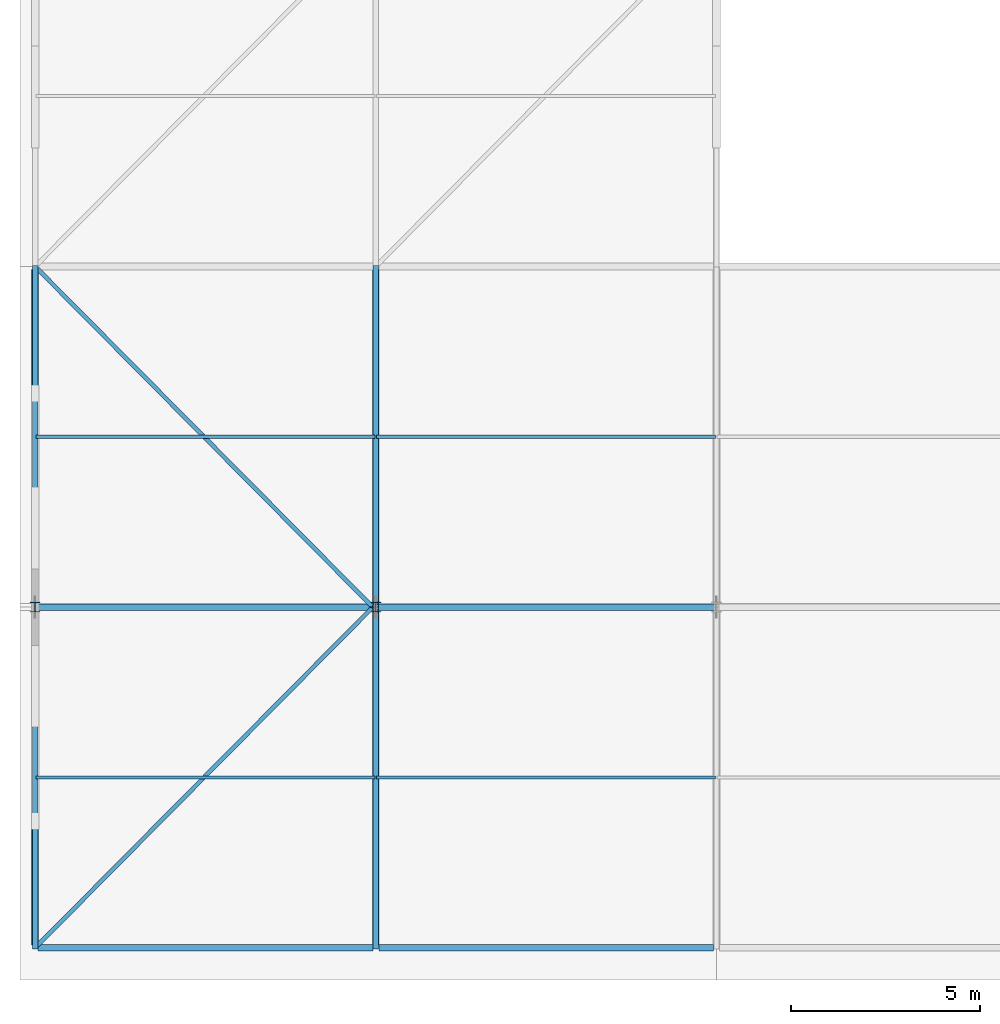
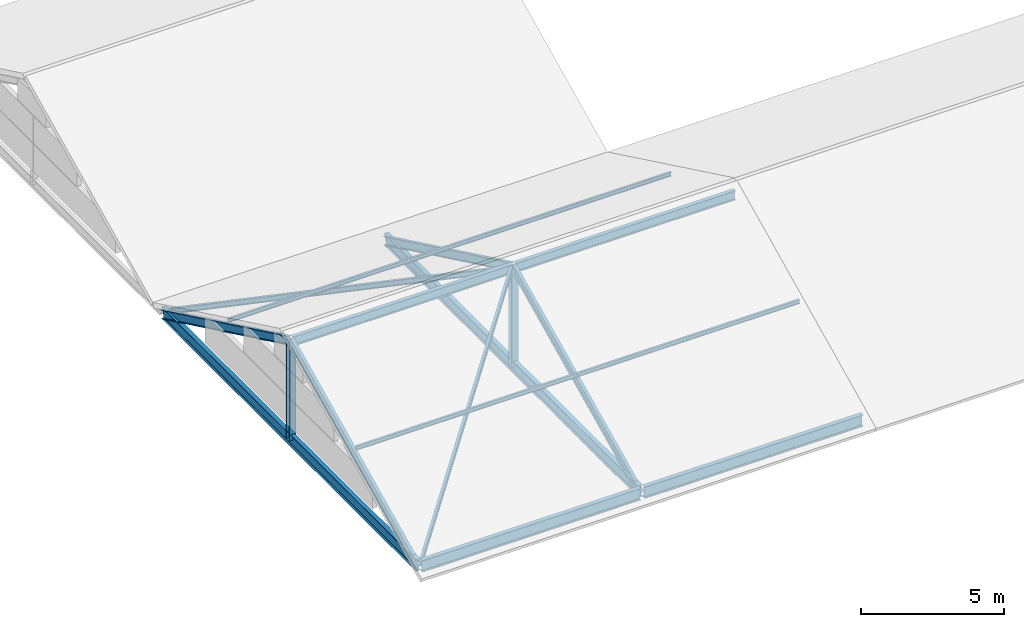
# One storey, part 1 of 9: 14 members, 4 beams.
"""IFC4 building model written with IfcOpenShell, lengths in metres."""

from ifc_helpers import new_model, si_unit, direction, frame, origin, origin_2d, place, context, subcontext, project, spatial, i_section, extrude, material, material_profile, profile_set, type_object, element, save


model = new_model("IFC4")

# Units and contexts
model_context = context("Model", 3, precision=1e-05, world=origin(), true_north=direction((0.0, 1.0)))
body_context = subcontext(model_context, "Body", "Model", "MODEL_VIEW")
ifc_project = project(units=[si_unit("LENGTHUNIT", "METRE"), si_unit("AREAUNIT", "SQUARE_METRE"), si_unit("VOLUMEUNIT", "CUBIC_METRE"), si_unit("PLANEANGLEUNIT", "RADIAN"), si_unit("MASSUNIT", "GRAM", prefix="KILO")], contexts=[model_context])

# Site, building, storey
site_placement = place(None, origin())
site = spatial("IfcSite", under=ifc_project, at=site_placement, CompositionType="ELEMENT")
building_placement = place(site_placement, origin())
building = spatial("IfcBuilding", under=site, at=building_placement, Name="Tharagai Park Tramway Depot", CompositionType="ELEMENT")
storey_placement = place(building_placement, frame((0.0, 0.0, 18.0)))
storey = spatial("IfcBuildingStorey", under=building, at=storey_placement, Name="RF", CompositionType="ELEMENT", Elevation=18.0)

# Beams
ifc_material_1 = material(Name="Steel E350", Category="steel")
ifc_material_profile_1 = material_profile(ifc_material_1, i_section(OverallWidth=0.179931640625, OverallDepth=0.5, WebThickness=0.01025390625, FlangeThickness=0.01708984375, FilletRadius=0.01708984375, at=origin_2d()), Name="ISMB 500")
ifc_profile_set_1 = profile_set([ifc_material_profile_1], Name="Steel E350")
beam_type = type_object("IfcBeamType", Name="BM-18", PredefinedType="BEAM", material=ifc_profile_set_1)
for number, where, z_axis, x_axis, name in (
    (1, (0.080078125, 0.0, -0.5), (1.0, 0.0, 0.0), (0.0, 1.0, 0.0), "V4S Roof Eave Girder BM-18"),
    (2, (9.080078125, 0.0, -0.5), (1.0, 0.0, 0.0), (0.0, 1.0, 0.0), "V4S Roof Eave Girder BM-18"),
):
    element("IfcBeam", number, at=place(storey_placement, frame(where, z_axis=z_axis, x_axis=x_axis)), inside=storey, type_object=beam_type, Name=name, PredefinedType="BEAM", context=body_context, shape_type="SweptSolid", body=[
        extrude(i_section(OverallWidth=0.179931640625, OverallDepth=0.5, WebThickness=0.01025390625, FlangeThickness=0.01708984375, FilletRadius=0.01708984375, at=origin_2d()), origin(), (0.0, 0.0, 1.0), 8.83984375),
    ])
for number, where, z_axis, x_axis, name in (
    (3, (0.0, 0.080078125, -0.5), (0.0, 1.0, 0.0), (-1.0, 0.0, 0.0), "V4S Gable Tie Girder BM-18"),
    (4, (9.0, 0.080078125, -0.5), (0.0, 1.0, 0.0), (-1.0, 0.0, 0.0), "V4S Gable Tie Girder BM-18"),
):
    element("IfcBeam", number, at=place(storey_placement, frame(where, z_axis=z_axis, x_axis=x_axis)), inside=storey, type_object=beam_type, Name=name, PredefinedType="BEAM", context=body_context, shape_type="SweptSolid", body=[
        extrude(i_section(OverallWidth=0.179931640625, OverallDepth=0.5, WebThickness=0.01025390625, FlangeThickness=0.01708984375, FilletRadius=0.01708984375, at=origin_2d()), origin(), (0.0, 0.0, 1.0), 17.83984375),
    ])

# Members
ifc_material_profile_2 = material_profile(ifc_material_1, i_section(OverallWidth=0.25, OverallDepth=0.25, WebThickness=0.0087890625, FlangeThickness=0.009765625, FilletRadius=0.010009765625, at=origin_2d()), Name="ISHB 250")
ifc_profile_set_2 = profile_set([ifc_material_profile_2], Name="Steel E350")
member_type_1 = type_object("IfcMemberType", Name="BR-01", PredefinedType="BRACE", material=ifc_profile_set_2)
for number, where, z_axis, x_axis, name in (
    (5, (0.0, 9.0, -0.5), (0.0, 0.0, 1.0), (1.0, 0.0, 0.0), "V4S Gable King Strut BR-01"),
    (6, (9.0, 9.0, -0.5), (0.0, 0.0, 1.0), (1.0, 0.0, 0.0), "V4S Gable King Strut BR-01"),
):
    element("IfcMember", number, at=place(storey_placement, frame(where, z_axis=z_axis, x_axis=x_axis)), inside=storey, type_object=member_type_1, Name=name, PredefinedType="BRACE", context=body_context, shape_type="SweptSolid", body=[
        extrude(i_section(OverallWidth=0.25, OverallDepth=0.25, WebThickness=0.0087890625, FlangeThickness=0.009765625, FilletRadius=0.010009765625, at=origin_2d()), origin(), (0.0, 0.0, 1.0), 4.190185546875),
    ])
ifc_material_profile_3 = material_profile(ifc_material_1, i_section(OverallWidth=0.110107421875, OverallDepth=0.22509765625, WebThickness=0.006591796875, FlangeThickness=0.01171875, FilletRadius=0.011962890625, at=origin_2d()), Name="ISMB 225")
ifc_profile_set_3 = profile_set([ifc_material_profile_3], Name="Steel E350")
member_type_2 = type_object("IfcMemberType", Name="BR-04", PredefinedType="BRACE", material=ifc_profile_set_3)
for number, where, z_axis, x_axis, name in (
    (7, (0.080078125, 0.080078125, -0.5), (0.668123641953, 0.674176021388, 0.314797540094), (-0.710287879152, 0.703911307432, 0.0), "V4S Roof Wind Brace BR-04"),
    (8, (0.080078125, 17.919921875, -0.5), (0.668123641953, -0.674176021388, 0.314797540094), (0.710287879152, 0.703911307432, 0.0), "V4S Roof Wind Brace BR-04"),
):
    element("IfcMember", number, at=place(storey_placement, frame(where, z_axis=z_axis, x_axis=x_axis)), inside=storey, type_object=member_type_2, Name=name, PredefinedType="BRACE", context=body_context, shape_type="SweptSolid", body=[
        extrude(i_section(OverallWidth=0.110107421875, OverallDepth=0.22509765625, WebThickness=0.006591796875, FlangeThickness=0.01171875, FilletRadius=0.011962890625, at=origin_2d()), origin(), (0.0, 0.0, 1.0), 13.23095703125),
    ])
ifc_material_2 = material(Name="Steel E250", Category="steel")
ifc_material_profile_4 = material_profile(ifc_material_2, i_section(OverallWidth=0.090087890625, OverallDepth=0.175048828125, WebThickness=0.005615234375, FlangeThickness=0.009033203125, FilletRadius=0.010009765625, at=origin_2d()), Name="ISMB 175")
ifc_profile_set_4 = profile_set([ifc_material_profile_4], Name="Steel E250")
member_type_3 = type_object("IfcMemberType", Name="PR-01", PredefinedType="PURLIN", material=ifc_profile_set_4)
for number, where, z_axis, x_axis, name in (
    (9, (0.02001953125, 4.5, 1.811279296875), (1.0, 0.0, 0.0), (0.0, 1.0, 0.0), "V4S Roof Purlin PR-01"),
    (10, (0.02001953125, 13.5, 1.811279296875), (1.0, 0.0, 0.0), (0.0, 1.0, 0.0), "V4S Roof Purlin PR-01"),
    (11, (9.02001953125, 4.5, 1.811279296875), (1.0, 0.0, 0.0), (0.0, 1.0, 0.0), "V4S Roof Purlin PR-01"),
    (12, (9.02001953125, 13.5, 1.811279296875), (1.0, 0.0, 0.0), (0.0, 1.0, 0.0), "V4S Roof Purlin PR-01"),
):
    element("IfcMember", number, at=place(storey_placement, frame(where, z_axis=z_axis, x_axis=x_axis)), inside=storey, type_object=member_type_3, Name=name, PredefinedType="PURLIN", context=body_context, shape_type="SweptSolid", body=[
        extrude(i_section(OverallWidth=0.090087890625, OverallDepth=0.175048828125, WebThickness=0.005615234375, FlangeThickness=0.009033203125, FilletRadius=0.010009765625, at=origin_2d()), origin(), (0.0, 0.0, 1.0), 8.9599609375),
    ])
ifc_material_profile_5 = material_profile(ifc_material_1, i_section(OverallWidth=0.139892578125, OverallDepth=0.35009765625, WebThickness=0.008056640625, FlangeThickness=0.01416015625, FilletRadius=0.013916015625, at=origin_2d()), Name="ISMB 350")
ifc_profile_set_5 = profile_set([ifc_material_profile_5], Name="Steel E350")
member_type_4 = type_object("IfcMemberType", Name="RF-01", PredefinedType="RAFTER", material=ifc_profile_set_5)
for number, where, z_axis, x_axis, name in (
    (13, (0.0, 0.050048828125, -0.602783203125), (0.0, 0.901641235071, 0.432484778021), (-1.0, 0.0, 0.0), "V4S Pitched Rafter RF-01 South"),
    (14, (0.0, 9.0, 3.690185546875), (0.0, 0.901641235071, -0.432484778021), (-1.0, 0.0, 0.0), "V4S Pitched Rafter RF-01 North"),
    (15, (9.0, 0.050048828125, -0.602783203125), (0.0, 0.901641235071, 0.432484778021), (-1.0, 0.0, 0.0), "V4S Pitched Rafter RF-01 South"),
    (16, (9.0, 9.0, 3.690185546875), (0.0, 0.901641235071, -0.432484778021), (-1.0, 0.0, 0.0), "V4S Pitched Rafter RF-01 North"),
):
    element("IfcMember", number, at=place(storey_placement, frame(where, z_axis=z_axis, x_axis=x_axis)), inside=storey, type_object=member_type_4, Name=name, PredefinedType="RAFTER", context=body_context, shape_type="SweptSolid", body=[
        extrude(i_section(OverallWidth=0.139892578125, OverallDepth=0.35009765625, WebThickness=0.008056640625, FlangeThickness=0.01416015625, FilletRadius=0.013916015625, at=origin_2d()), origin(), (0.0, 0.0, 1.0), 9.92626953125),
    ])
ifc_material_profile_6 = material_profile(ifc_material_1, i_section(OverallWidth=0.1650390625, OverallDepth=0.39990234375, WebThickness=0.008056640625, FlangeThickness=0.012451171875, FilletRadius=0.013916015625, at=origin_2d()), Name="ISLB 400")
ifc_profile_set_6 = profile_set([ifc_material_profile_6], Name="Steel E350")
member_type_5 = type_object("IfcMemberType", Name="TC-04", PredefinedType="CHORD", material=ifc_profile_set_6)
for number, where, z_axis, x_axis, name in (
    (17, (0.0400390625, 9.0, 3.6650390625), (1.0, 0.0, 0.0), (0.0, 1.0, 0.0), "V4S Roof Ridge Chord TC-04"),
    (18, (9.0400390625, 9.0, 3.6650390625), (1.0, 0.0, 0.0), (0.0, 1.0, 0.0), "V4S Roof Ridge Chord TC-04"),
):
    element("IfcMember", number, at=place(storey_placement, frame(where, z_axis=z_axis, x_axis=x_axis)), inside=storey, type_object=member_type_5, Name=name, PredefinedType="CHORD", context=body_context, shape_type="SweptSolid", body=[
        extrude(i_section(OverallWidth=0.1650390625, OverallDepth=0.39990234375, WebThickness=0.008056640625, FlangeThickness=0.012451171875, FilletRadius=0.013916015625, at=origin_2d()), origin(), (0.0, 0.0, 1.0), 8.919921875),
    ])

save(model, "model.ifc")
